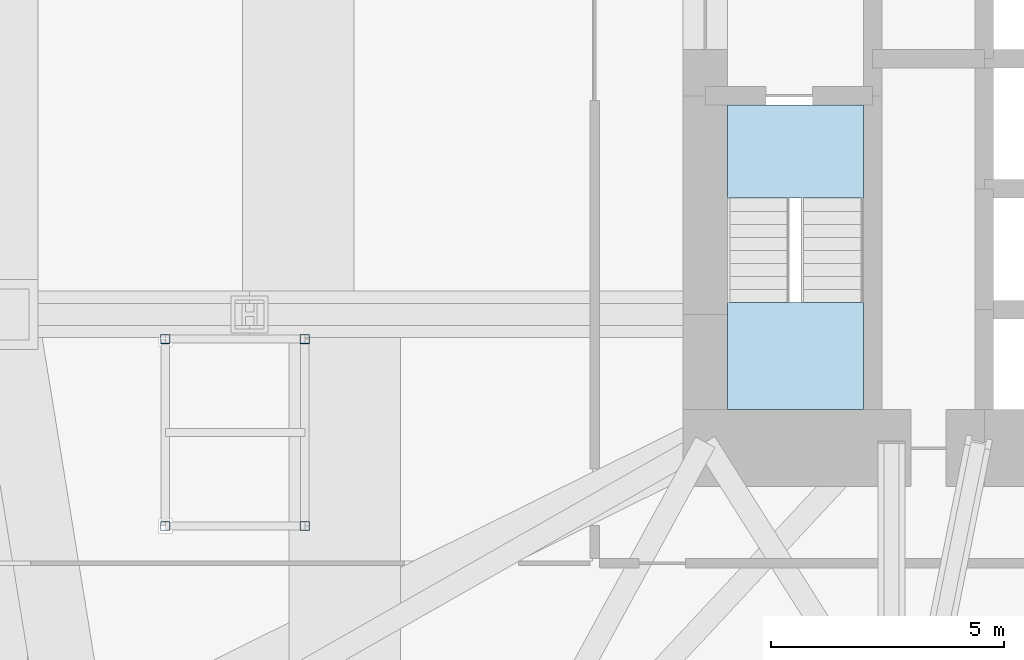
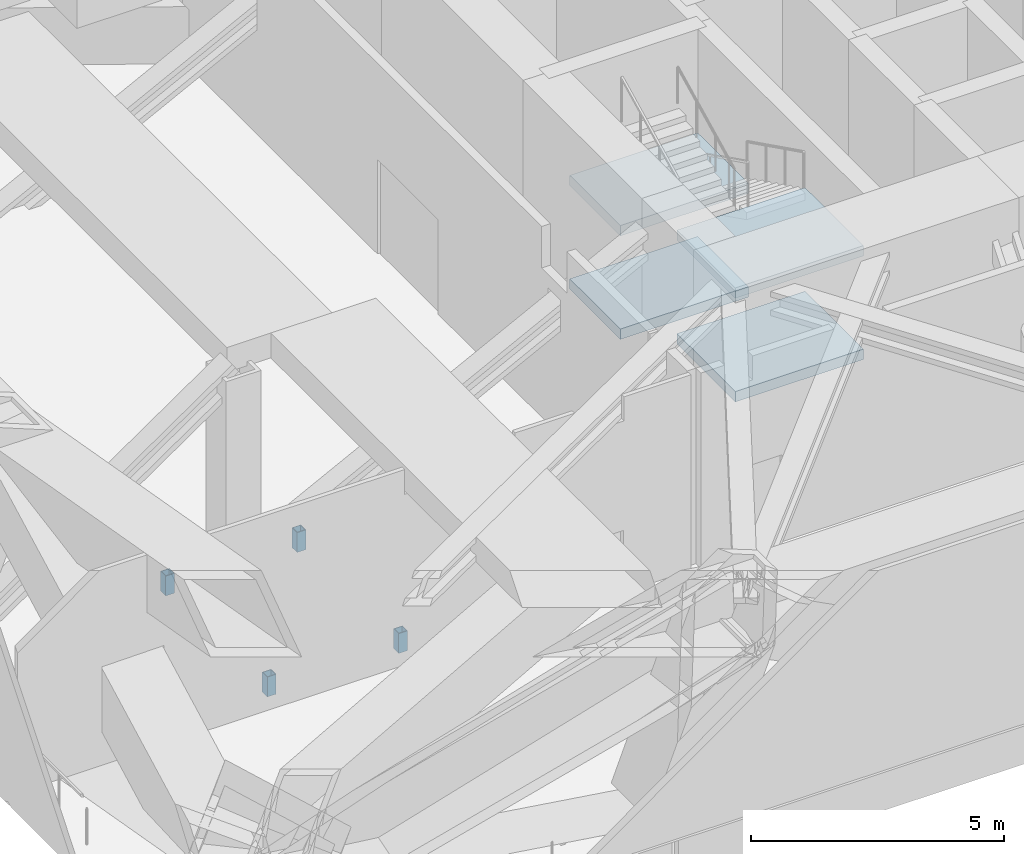
# One storey, part 3 of 8: 4 members, 4 slabs, 1 element without a shape of its own.
"""IFC4 building model written with IfcOpenShell, lengths in metres."""

from ifc_helpers import new_model, si_unit, direction, frame, origin, origin_2d, place, context, subcontext, project, spatial, polyline, hollow_rectangle, outline, extrude, material, layer, layer_set, material_profile, profile_set, type_object, element, aggregate, save


model = new_model("IFC4")

# Units and contexts
model_context = context("Model", 3, precision=1e-05, world=origin(), true_north=direction((0.0, 1.0)))
body_context = subcontext(model_context, "Body", "Model", "MODEL_VIEW")
ifc_project = project(units=[si_unit("LENGTHUNIT", "METRE"), si_unit("AREAUNIT", "SQUARE_METRE"), si_unit("VOLUMEUNIT", "CUBIC_METRE"), si_unit("PLANEANGLEUNIT", "RADIAN"), si_unit("MASSUNIT", "GRAM", prefix="KILO")], contexts=[model_context])

# Site, building, storey
site_placement = place(None, origin())
site = spatial("IfcSite", under=ifc_project, at=site_placement, CompositionType="ELEMENT")
building_placement = place(site_placement, origin())
building = spatial("IfcBuilding", under=site, at=building_placement, Name="Jalousie Tower", CompositionType="ELEMENT")
storey_placement = place(building_placement, frame((0.0, 0.0, 74.75)))
storey = spatial("IfcBuildingStorey", under=building, at=storey_placement, Name="L20", CompositionType="ELEMENT", Elevation=74.75)

# Members
ifc_material_1 = material(Name="Steel ASTM A500 Grade C", Category="steel")
ifc_material_profile = material_profile(ifc_material_1, hollow_rectangle(XDim=0.203125, YDim=0.203125, WallThickness=0.0126953125, at=origin_2d()), Name="HSS8X8X1/2")
ifc_profile_set = profile_set([ifc_material_profile], Name="Steel ASTM A500 Grade C")
member_type = type_object("IfcMemberType", Name="PLANT SUPPORT STOOL HSS8X8X1/2", PredefinedType="POST", material=ifc_profile_set)
for number, where, z_axis, x_axis, name in (
    (1, (8.387451171875, 8.449951171875, -0.280029296875), (0.0, 0.0, 1.0), (1.0, 0.0, 0.0), "Plant support stool Electrical plant room L20"),
    (2, (11.387451171875, 8.449951171875, -0.280029296875), (0.0, 0.0, 1.0), (1.0, 0.0, 0.0), "Plant support stool Electrical plant room L20"),
    (3, (8.387451171875, 12.469970703125, -0.280029296875), (0.0, 0.0, 1.0), (1.0, 0.0, 0.0), "Plant support stool Electrical plant room L20"),
    (4, (11.387451171875, 12.469970703125, -0.280029296875), (0.0, 0.0, 1.0), (1.0, 0.0, 0.0), "Plant support stool Electrical plant room L20"),
):
    element("IfcMember", number, at=place(storey_placement, frame(where, z_axis=z_axis, x_axis=x_axis)), inside=storey, type_object=member_type, Name=name, PredefinedType="POST", context=body_context, shape_type="SweptSolid", body=[
        extrude(hollow_rectangle(XDim=0.203125, YDim=0.203125, WallThickness=0.0126953125, at=origin_2d()), origin(), (0.0, 0.0, 1.0), 0.47998046875),
    ])

# Stair, slabs
ifc_material_2 = material(Name="Concrete f'c 40 MPa", Category="concrete")
stair_type = type_object("IfcStairType", Name="EXIT STAIR", PredefinedType="HALF_TURN_STAIR", material=ifc_material_2)
stair_placement = place(storey_placement, origin())
stair = element("IfcStair", 5, at=stair_placement, inside=storey, type_object=stair_type, Name="Exit stair A L20", PredefinedType="HALF_TURN_STAIR")
ifc_material_3 = material(Name="Concrete f'c 40 MPa", Category="concrete")
ifc_layer = layer(ifc_material_3, 0.25)
ifc_layer_set = layer_set([ifc_layer], Name="Concrete f'c 40 MPa")
slab_type = type_object("IfcSlabType", Name="STAIR LANDING 250", PredefinedType="LANDING", material=ifc_layer_set)
slab_1_placement = place(storey_placement, frame((0.0, 0.0, -0.25)))
slab_1 = element("IfcSlab", 6, at=slab_1_placement, type_object=slab_type, Name="ST-A landing 1", PredefinedType="LANDING", context=body_context, shape_type="SweptSolid", body=[
    extrude(outline(polyline([(20.47509765625, 15.49755859375), (23.39990234375, 15.49755859375), (23.39990234375, 17.5), (20.47509765625, 17.5), (20.47509765625, 15.49755859375)])), origin(), (0.0, 0.0, 1.0), 0.25),
])
slab_2_placement = place(storey_placement, frame((0.0, 0.0, 1.0)))
slab_2 = element("IfcSlab", 7, at=slab_2_placement, type_object=slab_type, Name="ST-A landing 2", PredefinedType="LANDING", context=body_context, shape_type="SweptSolid", body=[
    extrude(outline(polyline([(20.47509765625, 10.949951171875), (23.39990234375, 10.949951171875), (23.39990234375, 13.257568359375), (20.47509765625, 13.257568359375), (20.47509765625, 10.949951171875)])), origin(), (0.0, 0.0, 1.0), 0.25),
])
slab_3_placement = place(storey_placement, frame((0.0, 0.0, 2.25)))
slab_3 = element("IfcSlab", 8, at=slab_3_placement, type_object=slab_type, Name="ST-A landing 3", PredefinedType="LANDING", context=body_context, shape_type="SweptSolid", body=[
    extrude(outline(polyline([(20.47509765625, 15.49755859375), (23.39990234375, 15.49755859375), (23.39990234375, 17.5), (20.47509765625, 17.5), (20.47509765625, 15.49755859375)])), origin(), (0.0, 0.0, 1.0), 0.25),
])
slab_4_placement = place(storey_placement, frame((0.0, 0.0, 3.5)))
slab_4 = element("IfcSlab", 9, at=slab_4_placement, type_object=slab_type, Name="ST-A landing 4", PredefinedType="LANDING", context=body_context, shape_type="SweptSolid", body=[
    extrude(outline(polyline([(20.47509765625, 10.949951171875), (23.39990234375, 10.949951171875), (23.39990234375, 13.257568359375), (20.47509765625, 13.257568359375), (20.47509765625, 10.949951171875)])), origin(), (0.0, 0.0, 1.0), 0.25),
])
aggregate(stair, [slab_1, slab_2, slab_3, slab_4])

save(model, "model.ifc")
